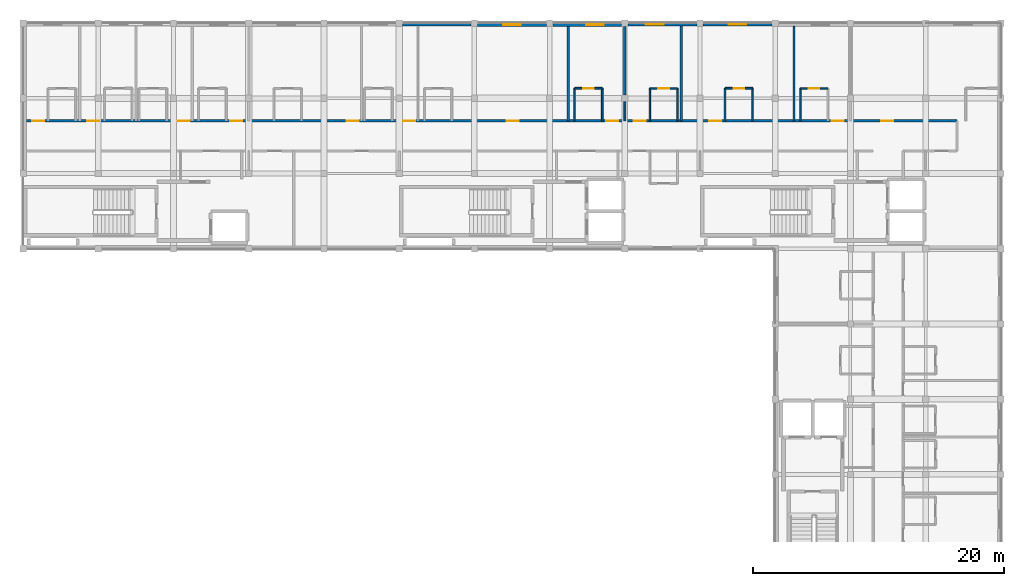
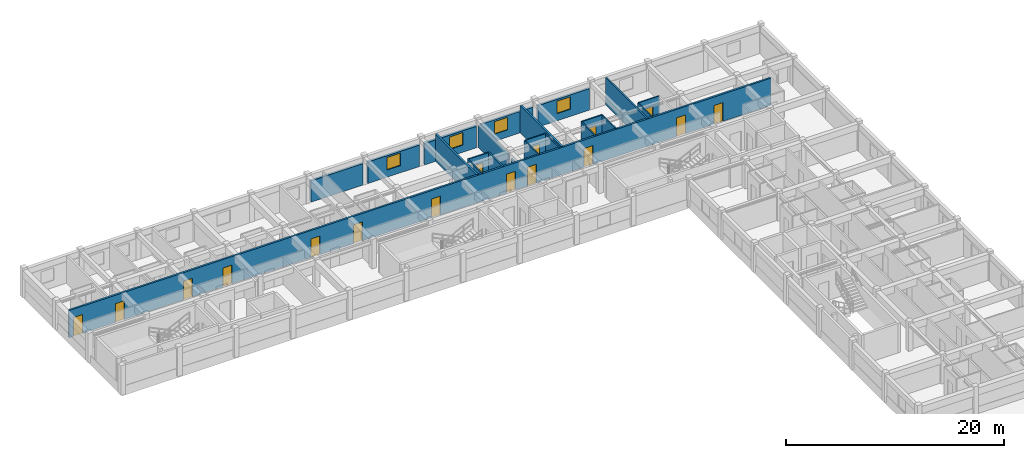
# One storey, part 8 of 14: 22 walls, 16 doors, 4 windows, 20 openings.
"""IFC4 building model written with IfcOpenShell, lengths in metres."""

from ifc_helpers import new_model, si_unit, direction, frame, frame_2d, origin, place, context, subcontext, project, spatial, rectangle, extrude, material, layer, layer_set, type_object, element, fill, save


model = new_model("IFC4")

# Units and contexts
model_context = context("Model", 3, precision=1e-05, world=origin(), true_north=direction((0.0, 1.0)))
body_context = subcontext(model_context, "Body", "Model", "MODEL_VIEW")
ifc_project = project(units=[si_unit("LENGTHUNIT", "METRE"), si_unit("AREAUNIT", "SQUARE_METRE"), si_unit("VOLUMEUNIT", "CUBIC_METRE"), si_unit("PLANEANGLEUNIT", "RADIAN"), si_unit("MASSUNIT", "GRAM", prefix="KILO"), si_unit("THERMODYNAMICTEMPERATUREUNIT", "KELVIN"), si_unit("POWERUNIT", "WATT")], contexts=[model_context])

# Site, building, storey
site_placement = place(None, origin())
site = spatial("IfcSite", under=ifc_project, at=site_placement, CompositionType="ELEMENT")
building_placement = place(site_placement, origin())
building = spatial("IfcBuilding", under=site, at=building_placement, Name="Phaisarnlok Congress Hotel", CompositionType="ELEMENT")
storey_placement = place(building_placement, frame((0.0, 0.0, 44.699951171875)))
storey = spatial("IfcBuildingStorey", under=building, at=storey_placement, Name="L11", CompositionType="ELEMENT", Elevation=44.699951171875)

# Wall, opening, window
ifc_material_1 = material(Name="Concrete C40/50", Category="concrete")
ifc_layer_1 = layer(ifc_material_1, 0.2099609375, Name="Concrete C40/50")
ifc_layer_set_1 = layer_set([ifc_layer_1], Name="Concrete C40/50")
wall_type_1 = type_object("IfcWallType", Name="WL-EXT-210", PredefinedType="SOLIDWALL", material=ifc_layer_set_1)
wall_1_placement = place(storey_placement, frame((155.7451171875, 125.89501953125, 0.0), z_axis=(0.0, 0.0, 1.0), x_axis=(-1.0, 0.0, 0.0)))
wall_1 = element("IfcWall", 1, at=wall_1_placement, inside=storey, type_object=wall_type_1, Name="Exterior wall EW-07 (L11)", PredefinedType="SOLIDWALL", context=body_context, shape_type="SweptSolid", body=[
    extrude(rectangle(XDim=5.490234375, YDim=0.2099609375, at=frame_2d((2.7451171875, 0.0))), origin(), (0.0, 0.0, 1.0), 2.400146484375),
])
opening_1_placement = place(wall_1_placement, frame((2.657958984375, 0.0, 0.800048828125)))
opening_1 = element("IfcOpeningElement", 2, at=opening_1_placement, cuts=wall_1, Name="Opening W-13", PredefinedType="OPENING", context=body_context, shape_type="SweptSolid", body=[
    extrude(rectangle(XDim=1.39990234375, YDim=1.39990234375, at=frame_2d((0.699951171875, 0.699951171875))), frame((0.0, 0.114990234375, 0.0), z_axis=(0.0, -1.0, 0.0), x_axis=(1.0, 0.0, 0.0)), (0.0, 0.0, 1.0), 0.22998046875),
])
ifc_material_2 = material(Name="Thermally Broken Aluminium & Low-E Double Glazing", Category="aluminium")
window_type = type_object("IfcWindowType", Name="WIN-POD-1400", PartitioningType="SINGLE_PANEL", PredefinedType="WINDOW", material=ifc_material_2)
window_1_placement = place(opening_1_placement, origin())
window_1 = element("IfcWindow", 3, at=window_1_placement, inside=storey, type_object=window_type, Name="Guestroom window W-13 (L11)", OverallHeight=1.39990234375, OverallWidth=1.39990234375, PartitioningType="SINGLE_PANEL", PredefinedType="WINDOW", context=body_context, shape_type="SweptSolid", body=[
    extrude(rectangle(XDim=1.39990234375, YDim=1.39990234375, at=frame_2d((0.699951171875, 0.699951171875))), frame((0.0, 0.030029296875, 0.0), z_axis=(0.0, -1.0, 0.0), x_axis=(1.0, 0.0, 0.0)), (0.0, 0.0, 1.0), 0.06005859375),
])
fill(opening_1, window_1)

ifc_layer_2 = layer(ifc_material_1, 0.22998046875, Name="Concrete C40/50")
ifc_layer_set_2 = layer_set([ifc_layer_2], Name="Concrete C40/50")
wall_type_2 = type_object("IfcWallType", Name="WL-EXT-230", PredefinedType="SOLIDWALL", material=ifc_layer_set_2)
wall_2_placement = place(storey_placement, frame((161.7451171875, 125.885009765625, 0.0), z_axis=(0.0, 0.0, 1.0), x_axis=(-1.0, 0.0, 0.0)))
wall_2 = element("IfcWall", 4, at=wall_2_placement, inside=storey, type_object=wall_type_2, Name="Exterior wall EW-06 (L11)", PredefinedType="SOLIDWALL", context=body_context, shape_type="SweptSolid", body=[
    extrude(rectangle(XDim=5.490234375, YDim=0.22998046875, at=frame_2d((2.7451171875, 0.0))), origin(), (0.0, 0.0, 1.0), 2.400146484375),
])
opening_2_placement = place(wall_2_placement, frame((2.044921875, 0.0, 0.800048828125)))
opening_2 = element("IfcOpeningElement", 5, at=opening_2_placement, cuts=wall_2, Name="Opening W-13", PredefinedType="OPENING", context=body_context, shape_type="SweptSolid", body=[
    extrude(rectangle(XDim=1.39990234375, YDim=1.39990234375, at=frame_2d((0.699951171875, 0.699951171875))), frame((0.0, 0.125, 0.0), z_axis=(0.0, -1.0, 0.0), x_axis=(1.0, 0.0, 0.0)), (0.0, 0.0, 1.0), 0.25),
])
window_2_placement = place(opening_2_placement, origin())
window_2 = element("IfcWindow", 6, at=window_2_placement, inside=storey, type_object=window_type, Name="Guestroom window W-13 (L11)", OverallHeight=1.39990234375, OverallWidth=1.39990234375, PartitioningType="SINGLE_PANEL", PredefinedType="WINDOW", context=body_context, shape_type="SweptSolid", body=[
    extrude(rectangle(XDim=1.39990234375, YDim=1.39990234375, at=frame_2d((0.699951171875, 0.699951171875))), frame((0.0, 0.030029296875, 0.0), z_axis=(0.0, -1.0, 0.0), x_axis=(1.0, 0.0, 0.0)), (0.0, 0.0, 1.0), 0.06005859375),
])
fill(opening_2, window_2)

# Wall
wall_3_placement = place(storey_placement, frame((137.7451171875, 125.885009765625, 0.0), z_axis=(0.0, 0.0, 1.0), x_axis=(-1.0, 0.0, 0.0)))
element("IfcWall", 7, at=wall_3_placement, inside=storey, type_object=wall_type_2, Name="Exterior wall EW-06 (L11)", PredefinedType="SOLIDWALL", context=body_context, shape_type="SweptSolid", body=[
    extrude(rectangle(XDim=5.490234375, YDim=0.22998046875, at=frame_2d((2.7451171875, 0.0))), origin(), (0.0, 0.0, 1.0), 2.400146484375),
])

# Wall, opening, window
ifc_layer_3 = layer(ifc_material_1, 0.25, Name="Concrete C40/50")
ifc_layer_set_3 = layer_set([ifc_layer_3], Name="Concrete C40/50")
wall_type_3 = type_object("IfcWallType", Name="WL-EXT-250", PredefinedType="SOLIDWALL", material=ifc_layer_set_3)
wall_4_placement = place(storey_placement, frame((143.7451171875, 125.875, 0.0), z_axis=(0.0, 0.0, 1.0), x_axis=(-1.0, 0.0, 0.0)))
wall_4 = element("IfcWall", 8, at=wall_4_placement, inside=storey, type_object=wall_type_3, Name="Exterior wall EW-05 (L11)", PredefinedType="SOLIDWALL", context=body_context, shape_type="SweptSolid", body=[
    extrude(rectangle(XDim=5.490234375, YDim=0.25, at=frame_2d((2.7451171875, 0.0))), origin(), (0.0, 0.0, 1.0), 2.400146484375),
])
opening_3_placement = place(wall_4_placement, frame((2.044921875, 0.0, 0.800048828125)))
opening_3 = element("IfcOpeningElement", 9, at=opening_3_placement, cuts=wall_4, Name="Opening W-13", PredefinedType="OPENING", context=body_context, shape_type="SweptSolid", body=[
    extrude(rectangle(XDim=1.39990234375, YDim=1.39990234375, at=frame_2d((0.699951171875, 0.699951171875))), frame((0.0, 0.135009765625, 0.0), z_axis=(0.0, -1.0, 0.0), x_axis=(1.0, 0.0, 0.0)), (0.0, 0.0, 1.0), 0.27001953125),
])
window_3_placement = place(opening_3_placement, origin())
window_3 = element("IfcWindow", 10, at=window_3_placement, inside=storey, type_object=window_type, Name="Guestroom window W-13 (L11)", OverallHeight=1.39990234375, OverallWidth=1.39990234375, PartitioningType="SINGLE_PANEL", PredefinedType="WINDOW", context=body_context, shape_type="SweptSolid", body=[
    extrude(rectangle(XDim=1.39990234375, YDim=1.39990234375, at=frame_2d((0.699951171875, 0.699951171875))), frame((0.0, 0.030029296875, 0.0), z_axis=(0.0, -1.0, 0.0), x_axis=(1.0, 0.0, 0.0)), (0.0, 0.0, 1.0), 0.06005859375),
])
fill(opening_3, window_3)

ifc_layer_4 = layer(ifc_material_1, 0.27001953125, Name="Concrete C40/50")
ifc_layer_set_4 = layer_set([ifc_layer_4], Name="Concrete C40/50")
wall_type_4 = type_object("IfcWallType", Name="WL-EXT-270", PredefinedType="SOLIDWALL", material=ifc_layer_set_4)
wall_5_placement = place(storey_placement, frame((149.7451171875, 125.864990234375, 0.0), z_axis=(0.0, 0.0, 1.0), x_axis=(-1.0, 0.0, 0.0)))
wall_5 = element("IfcWall", 11, at=wall_5_placement, inside=storey, type_object=wall_type_4, Name="Exterior wall EW-04 (L11)", PredefinedType="SOLIDWALL", context=body_context, shape_type="SweptSolid", body=[
    extrude(rectangle(XDim=5.490234375, YDim=0.27001953125, at=frame_2d((2.7451171875, 0.0))), origin(), (0.0, 0.0, 1.0), 2.400146484375),
])
opening_4_placement = place(wall_5_placement, frame((1.431884765625, 0.0, 0.800048828125)))
opening_4 = element("IfcOpeningElement", 12, at=opening_4_placement, cuts=wall_5, Name="Opening W-13", PredefinedType="OPENING", context=body_context, shape_type="SweptSolid", body=[
    extrude(rectangle(XDim=1.39990234375, YDim=1.39990234375, at=frame_2d((0.699951171875, 0.699951171875))), frame((0.0, 0.14501953125, 0.0), z_axis=(0.0, -1.0, 0.0), x_axis=(1.0, 0.0, 0.0)), (0.0, 0.0, 1.0), 0.2900390625),
])
window_4_placement = place(opening_4_placement, origin())
window_4 = element("IfcWindow", 13, at=window_4_placement, inside=storey, type_object=window_type, Name="Guestroom window W-13 (L11)", OverallHeight=1.39990234375, OverallWidth=1.39990234375, PartitioningType="SINGLE_PANEL", PredefinedType="WINDOW", context=body_context, shape_type="SweptSolid", body=[
    extrude(rectangle(XDim=1.39990234375, YDim=1.39990234375, at=frame_2d((0.699951171875, 0.699951171875))), frame((0.0, 0.030029296875, 0.0), z_axis=(0.0, -1.0, 0.0), x_axis=(1.0, 0.0, 0.0)), (0.0, 0.0, 1.0), 0.06005859375),
])
fill(opening_4, window_4)

# Walls
ifc_material_3 = material(Name="Lightweight Metal-Stud Gypsum Partition", Category="gypsum")
ifc_layer_5 = layer(ifc_material_3, 0.1201171875, Name="Lightweight Metal-Stud Gypsum Partition")
ifc_layer_set_5 = layer_set([ifc_layer_5], Name="Lightweight Metal-Stud Gypsum Partition")
wall_type_5 = type_object("IfcWallType", Name="WL-INT-120", PredefinedType="PARTITIONING", material=ifc_layer_set_5)
for number, where, z_axis, x_axis, name in (
    (14, (146.0, 118.199951171875, 0.0), (0.0, 0.0, 1.0), (0.0, 1.0, 0.0), "Interior partition wall IW-07 (L11)"),
    (15, (152.0, 118.199951171875, 0.0), (0.0, 0.0, 1.0), (0.0, 1.0, 0.0), "Interior partition wall IW-07 (L11)"),
    (16, (154.199951171875, 118.199951171875, 0.0), (0.0, 0.0, 1.0), (0.0, 1.0, 0.0), "Interior partition wall IW-07 (L11)"),
    (17, (160.199951171875, 118.199951171875, 0.0), (0.0, 0.0, 1.0), (0.0, 1.0, 0.0), "Interior partition wall IW-07 (L11)"),
    (18, (164.0, 118.199951171875, 0.0), (0.0, 0.0, 1.0), (0.0, 1.0, 0.0), "Interior partition wall IW-07 (L11)"),
):
    element("IfcWall", number, at=place(storey_placement, frame(where, z_axis=z_axis, x_axis=x_axis)), inside=storey, type_object=wall_type_5, Name=name, PredefinedType="PARTITIONING", context=body_context, shape_type="SweptSolid", body=[
        extrude(rectangle(XDim=2.60009765625, YDim=0.1201171875, at=frame_2d((1.300048828125, 0.0))), origin(), (0.0, 0.0, 1.0), 3.050048828125),
    ])

# Wall, opening, door
wall_6_placement = place(storey_placement, frame((152.0, 120.800048828125, 0.0), z_axis=(0.0, 0.0, 1.0), x_axis=(1.0, 0.0, 0.0)))
wall_6 = element("IfcWall", 19, at=wall_6_placement, inside=storey, type_object=wall_type_5, Name="Interior partition wall IW-07 (L11)", PredefinedType="PARTITIONING", context=body_context, shape_type="SweptSolid", body=[
    extrude(rectangle(XDim=2.199951171875, YDim=0.1201171875, at=frame_2d((1.10009765625, 0.0))), origin(), (0.0, 0.0, 1.0), 3.050048828125),
])
opening_5_placement = place(wall_6_placement, frame((0.675048828125, 0.0, 0.0)))
opening_5 = element("IfcOpeningElement", 20, at=opening_5_placement, cuts=wall_6, Name="Opening D-0644", PredefinedType="OPENING", context=body_context, shape_type="SweptSolid", body=[
    extrude(rectangle(XDim=0.85009765625, YDim=2.10009765625, at=frame_2d((0.425048828125, 1.050048828125))), frame((0.0, 0.070068359375, 0.0), z_axis=(0.0, -1.0, 0.0), x_axis=(1.0, 0.0, 0.0)), (0.0, 0.0, 1.0), 0.14013671875),
])
ifc_material_4 = material(Name="Moisture-Resistant Lacquered Timber", Category="wood")
door_type_1 = type_object("IfcDoorType", Name="DR-BATH-850", OperationType="NOTDEFINED", PredefinedType="DOOR", material=ifc_material_4)
door_1_placement = place(opening_5_placement, origin())
door_1 = element("IfcDoor", 21, at=door_1_placement, inside=storey, type_object=door_type_1, Name="Interior door D-0644 (L11)", OperationType="SINGLE_SWING_RIGHT", OverallHeight=2.10009765625, OverallWidth=0.85009765625, PredefinedType="DOOR", context=body_context, shape_type="SweptSolid", body=[
    extrude(rectangle(XDim=0.85009765625, YDim=2.10009765625, at=frame_2d((0.425048828125, 1.050048828125))), frame((0.0, 0.02490234375, 0.0), z_axis=(0.0, -1.0, 0.0), x_axis=(1.0, 0.0, 0.0)), (0.0, 0.0, 1.0), 0.050048828125),
])
fill(opening_5, door_1)

wall_7_placement = place(storey_placement, frame((164.0, 120.800048828125, 0.0), z_axis=(0.0, 0.0, 1.0), x_axis=(1.0, 0.0, 0.0)))
wall_7 = element("IfcWall", 22, at=wall_7_placement, inside=storey, type_object=wall_type_5, Name="Interior partition wall IW-07 (L11)", PredefinedType="PARTITIONING", context=body_context, shape_type="SweptSolid", body=[
    extrude(rectangle(XDim=2.199951171875, YDim=0.1201171875, at=frame_2d((1.10009765625, 0.0))), origin(), (0.0, 0.0, 1.0), 3.050048828125),
])
opening_6_placement = place(wall_7_placement, frame((0.675048828125, 0.0, 0.0)))
opening_6 = element("IfcOpeningElement", 23, at=opening_6_placement, cuts=wall_7, Name="Opening D-0648", PredefinedType="OPENING", context=body_context, shape_type="SweptSolid", body=[
    extrude(rectangle(XDim=0.85009765625, YDim=2.10009765625, at=frame_2d((0.425048828125, 1.050048828125))), frame((0.0, 0.070068359375, 0.0), z_axis=(0.0, -1.0, 0.0), x_axis=(1.0, 0.0, 0.0)), (0.0, 0.0, 1.0), 0.14013671875),
])
door_2_placement = place(opening_6_placement, origin())
door_2 = element("IfcDoor", 24, at=door_2_placement, inside=storey, type_object=door_type_1, Name="Interior door D-0648 (L11)", OperationType="SINGLE_SWING_RIGHT", OverallHeight=2.10009765625, OverallWidth=0.85009765625, PredefinedType="DOOR", context=body_context, shape_type="SweptSolid", body=[
    extrude(rectangle(XDim=0.85009765625, YDim=2.10009765625, at=frame_2d((0.425048828125, 1.050048828125))), frame((0.0, 0.02490234375, 0.0), z_axis=(0.0, -1.0, 0.0), x_axis=(1.0, 0.0, 0.0)), (0.0, 0.0, 1.0), 0.050048828125),
])
fill(opening_6, door_2)

# Walls
ifc_material_5 = material(Name="Moisture-Resistant Gypsum Partition", Category="gypsum")
ifc_layer_6 = layer(ifc_material_5, 0.135009765625, Name="Moisture-Resistant Gypsum Partition")
ifc_layer_set_6 = layer_set([ifc_layer_6], Name="Moisture-Resistant Gypsum Partition")
wall_type_6 = type_object("IfcWallType", Name="WL-INT-135", PredefinedType="PARTITIONING", material=ifc_layer_set_6)
for number, where, z_axis, x_axis, name in (
    (25, (148.199951171875, 118.199951171875, 0.0), (0.0, 0.0, 1.0), (0.0, 1.0, 0.0), "Interior partition wall IW-06 (L11)"),
    (26, (158.0, 118.199951171875, 0.0), (0.0, 0.0, 1.0), (0.0, 1.0, 0.0), "Interior partition wall IW-06 (L11)"),
):
    element("IfcWall", number, at=place(storey_placement, frame(where, z_axis=z_axis, x_axis=x_axis)), inside=storey, type_object=wall_type_6, Name=name, PredefinedType="PARTITIONING", context=body_context, shape_type="SweptSolid", body=[
        extrude(rectangle(XDim=2.60009765625, YDim=0.135009765625, at=frame_2d((1.300048828125, 0.0))), origin(), (0.0, 0.0, 1.0), 3.050048828125),
    ])

# Wall, opening, door
wall_8_placement = place(storey_placement, frame((146.0, 120.800048828125, 0.0), z_axis=(0.0, 0.0, 1.0), x_axis=(1.0, 0.0, 0.0)))
wall_8 = element("IfcWall", 27, at=wall_8_placement, inside=storey, type_object=wall_type_6, Name="Interior partition wall IW-06 (L11)", PredefinedType="PARTITIONING", context=body_context, shape_type="SweptSolid", body=[
    extrude(rectangle(XDim=2.199951171875, YDim=0.135009765625, at=frame_2d((1.10009765625, 0.0))), origin(), (0.0, 0.0, 1.0), 3.050048828125),
])
opening_7_placement = place(wall_8_placement, frame((0.675048828125, 0.0, 0.0)))
opening_7 = element("IfcOpeningElement", 28, at=opening_7_placement, cuts=wall_8, Name="Opening D-0642", PredefinedType="OPENING", context=body_context, shape_type="SweptSolid", body=[
    extrude(rectangle(XDim=0.85009765625, YDim=2.10009765625, at=frame_2d((0.425048828125, 1.050048828125))), frame((0.0, 0.07763671875, 0.0), z_axis=(0.0, -1.0, 0.0), x_axis=(1.0, 0.0, 0.0)), (0.0, 0.0, 1.0), 0.155029296875),
])
door_3_placement = place(opening_7_placement, origin())
door_3 = element("IfcDoor", 29, at=door_3_placement, inside=storey, type_object=door_type_1, Name="Interior door D-0642 (L11)", OperationType="SINGLE_SWING_RIGHT", OverallHeight=2.10009765625, OverallWidth=0.85009765625, PredefinedType="DOOR", context=body_context, shape_type="SweptSolid", body=[
    extrude(rectangle(XDim=0.85009765625, YDim=2.10009765625, at=frame_2d((0.425048828125, 1.050048828125))), frame((0.0, 0.02490234375, 0.0), z_axis=(0.0, -1.0, 0.0), x_axis=(1.0, 0.0, 0.0)), (0.0, 0.0, 1.0), 0.050048828125),
])
fill(opening_7, door_3)

wall_9_placement = place(storey_placement, frame((158.0, 120.800048828125, 0.0), z_axis=(0.0, 0.0, 1.0), x_axis=(1.0, 0.0, 0.0)))
wall_9 = element("IfcWall", 30, at=wall_9_placement, inside=storey, type_object=wall_type_6, Name="Interior partition wall IW-06 (L11)", PredefinedType="PARTITIONING", context=body_context, shape_type="SweptSolid", body=[
    extrude(rectangle(XDim=2.199951171875, YDim=0.135009765625, at=frame_2d((1.10009765625, 0.0))), origin(), (0.0, 0.0, 1.0), 3.050048828125),
])
opening_8_placement = place(wall_9_placement, frame((0.675048828125, 0.0, 0.0)))
opening_8 = element("IfcOpeningElement", 31, at=opening_8_placement, cuts=wall_9, Name="Opening D-0646", PredefinedType="OPENING", context=body_context, shape_type="SweptSolid", body=[
    extrude(rectangle(XDim=0.85009765625, YDim=2.10009765625, at=frame_2d((0.425048828125, 1.050048828125))), frame((0.0, 0.07763671875, 0.0), z_axis=(0.0, -1.0, 0.0), x_axis=(1.0, 0.0, 0.0)), (0.0, 0.0, 1.0), 0.155029296875),
])
door_4_placement = place(opening_8_placement, origin())
door_4 = element("IfcDoor", 32, at=door_4_placement, inside=storey, type_object=door_type_1, Name="Interior door D-0646 (L11)", OperationType="SINGLE_SWING_RIGHT", OverallHeight=2.10009765625, OverallWidth=0.85009765625, PredefinedType="DOOR", context=body_context, shape_type="SweptSolid", body=[
    extrude(rectangle(XDim=0.85009765625, YDim=2.10009765625, at=frame_2d((0.425048828125, 1.050048828125))), frame((0.0, 0.02490234375, 0.0), z_axis=(0.0, -1.0, 0.0), x_axis=(1.0, 0.0, 0.0)), (0.0, 0.0, 1.0), 0.050048828125),
])
fill(opening_8, door_4)

# Walls
ifc_material_6 = material(Name="Acoustic Gypsum Board & Mineral Wool", Category="gypsum")
ifc_layer_7 = layer(ifc_material_6, 0.14990234375, Name="Acoustic Gypsum Board & Mineral Wool")
ifc_layer_set_7 = layer_set([ifc_layer_7], Name="Acoustic Gypsum Board & Mineral Wool")
wall_type_7 = type_object("IfcWallType", Name="WL-INT-150", PredefinedType="PARTITIONING", material=ifc_layer_set_7)
wall_10_placement = place(storey_placement, frame((150.0, 118.199951171875, 0.0), z_axis=(0.0, 0.0, 1.0), x_axis=(0.0, 1.0, 0.0)))
element("IfcWall", 33, at=wall_10_placement, inside=storey, type_object=wall_type_7, Name="Interior partition wall IW-05 (L11)", PredefinedType="PARTITIONING", context=body_context, shape_type="SweptSolid", body=[
    extrude(rectangle(XDim=1.545166015625, YDim=0.14990234375, at=frame_2d((0.7724609375, 0.0))), origin(), (0.0, 0.0, 1.0), 2.35009765625),
])
wall_11_placement = place(storey_placement, frame((163.5, 118.199951171875, 0.0), z_axis=(0.0, 0.0, 1.0), x_axis=(0.0, 1.0, 0.0)))
element("IfcWall", 34, at=wall_11_placement, inside=storey, type_object=wall_type_7, Name="Interior partition wall IW-05 (L11)", PredefinedType="PARTITIONING", context=body_context, shape_type="SweptSolid", body=[
    extrude(rectangle(XDim=7.545166015625, YDim=0.14990234375, at=frame_2d((3.7724609375, 0.0))), origin(), (0.0, 0.0, 1.0), 3.050048828125),
])
ifc_material_7 = material(Name="Autoclaved Aerated Concrete Block", Category="concrete")
ifc_layer_8 = layer(ifc_material_7, 0.199951171875, Name="Autoclaved Aerated Concrete Block")
ifc_layer_set_8 = layer_set([ifc_layer_8], Name="Autoclaved Aerated Concrete Block")
wall_type_8 = type_object("IfcWallType", Name="WL-INT-200", PredefinedType="PARTITIONING", material=ifc_layer_set_8)
wall_12_placement = place(storey_placement, frame((145.5, 118.199951171875, 0.0), z_axis=(0.0, 0.0, 1.0), x_axis=(0.0, 1.0, 0.0)))
element("IfcWall", 35, at=wall_12_placement, inside=storey, type_object=wall_type_8, Name="Interior partition wall IW-02 (L11)", PredefinedType="PARTITIONING", context=body_context, shape_type="SweptSolid", body=[
    extrude(rectangle(XDim=7.525146484375, YDim=0.199951171875, at=frame_2d((3.7626953125, 0.0))), origin(), (0.0, 0.0, 1.0), 3.050048828125),
])
wall_13_placement = place(storey_placement, frame((150.0, 120.2548828125, 0.0), z_axis=(0.0, 0.0, 1.0), x_axis=(0.0, 1.0, 0.0)))
element("IfcWall", 36, at=wall_13_placement, inside=storey, type_object=wall_type_8, Name="Interior partition wall IW-02 (L11)", PredefinedType="PARTITIONING", context=body_context, shape_type="SweptSolid", body=[
    extrude(rectangle(XDim=5.465087890625, YDim=0.199951171875, at=frame_2d((2.732421875, 0.0))), origin(), (0.0, 0.0, 1.0), 2.5),
])
wall_14_placement = place(storey_placement, frame((154.5, 118.199951171875, 0.0), z_axis=(0.0, 0.0, 1.0), x_axis=(0.0, 1.0, 0.0)))
element("IfcWall", 37, at=wall_14_placement, inside=storey, type_object=wall_type_8, Name="Interior partition wall IW-02 (L11)", PredefinedType="PARTITIONING", context=body_context, shape_type="SweptSolid", body=[
    extrude(rectangle(XDim=7.5849609375, YDim=0.199951171875, at=frame_2d((3.79248046875, 0.0))), origin(), (0.0, 0.0, 1.0), 3.050048828125),
])

# Wall, openings, doors
wall_15_placement = place(storey_placement, frame((102.2548828125, 118.199951171875, 0.0), z_axis=(0.0, 0.0, 1.0), x_axis=(1.0, 0.0, 0.0)))
wall_15 = element("IfcWall", 38, at=wall_15_placement, inside=storey, type_object=wall_type_8, Name="Interior partition wall IW-02 (L11)", PredefinedType="PARTITIONING", context=body_context, shape_type="SweptSolid", body=[
    extrude(rectangle(XDim=74.2451171875, YDim=0.199951171875, at=frame_2d((37.12255859375, 0.0))), origin(), (0.0, 0.0, 1.0), 3.050048828125),
])
opening_9_placement = place(wall_15_placement, frame((0.469970703125, 0.0, 0.0)))
opening_9 = element("IfcOpeningElement", 39, at=opening_9_placement, cuts=wall_15, Name="Opening D-0629", PredefinedType="OPENING", context=body_context, shape_type="SweptSolid", body=[
    extrude(rectangle(XDim=0.949951171875, YDim=2.10009765625, at=frame_2d((0.47509765625, 1.050048828125))), frame((0.0, 0.10986328125, 0.0), z_axis=(0.0, -1.0, 0.0), x_axis=(1.0, 0.0, 0.0)), (0.0, 0.0, 1.0), 0.219970703125),
])
opening_10_placement = place(wall_15_placement, frame((4.8701171875, 0.0, 0.0)))
opening_10 = element("IfcOpeningElement", 40, at=opening_10_placement, cuts=wall_15, Name="Opening D-0631", PredefinedType="OPENING", context=body_context, shape_type="SweptSolid", body=[
    extrude(rectangle(XDim=0.949951171875, YDim=2.10009765625, at=frame_2d((0.47509765625, 1.050048828125))), frame((0.0, 0.10986328125, 0.0), z_axis=(0.0, -1.0, 0.0), x_axis=(1.0, 0.0, 0.0)), (0.0, 0.0, 1.0), 0.219970703125),
])
opening_11_placement = place(wall_15_placement, frame((12.070068359375, 0.0, 0.0)))
opening_11 = element("IfcOpeningElement", 41, at=opening_11_placement, cuts=wall_15, Name="Opening D-0633", PredefinedType="OPENING", context=body_context, shape_type="SweptSolid", body=[
    extrude(rectangle(XDim=0.949951171875, YDim=2.10009765625, at=frame_2d((0.47509765625, 1.050048828125))), frame((0.0, 0.10986328125, 0.0), z_axis=(0.0, -1.0, 0.0), x_axis=(1.0, 0.0, 0.0)), (0.0, 0.0, 1.0), 0.219970703125),
])
opening_12_placement = place(wall_15_placement, frame((16.27001953125, 0.0, 0.0)))
opening_12 = element("IfcOpeningElement", 42, at=opening_12_placement, cuts=wall_15, Name="Opening D-0635", PredefinedType="OPENING", context=body_context, shape_type="SweptSolid", body=[
    extrude(rectangle(XDim=0.949951171875, YDim=2.10009765625, at=frame_2d((0.47509765625, 1.050048828125))), frame((0.0, 0.10986328125, 0.0), z_axis=(0.0, -1.0, 0.0), x_axis=(1.0, 0.0, 0.0)), (0.0, 0.0, 1.0), 0.219970703125),
])
opening_13_placement = place(wall_15_placement, frame((25.570068359375, 0.0, 0.0)))
opening_13 = element("IfcOpeningElement", 43, at=opening_13_placement, cuts=wall_15, Name="Opening D-0637", PredefinedType="OPENING", context=body_context, shape_type="SweptSolid", body=[
    extrude(rectangle(XDim=0.949951171875, YDim=2.10009765625, at=frame_2d((0.47509765625, 1.050048828125))), frame((0.0, 0.10986328125, 0.0), z_axis=(0.0, -1.0, 0.0), x_axis=(1.0, 0.0, 0.0)), (0.0, 0.0, 1.0), 0.219970703125),
])
opening_14_placement = place(wall_15_placement, frame((30.070068359375, 0.0, 0.0)))
opening_14 = element("IfcOpeningElement", 44, at=opening_14_placement, cuts=wall_15, Name="Opening D-0639", PredefinedType="OPENING", context=body_context, shape_type="SweptSolid", body=[
    extrude(rectangle(XDim=0.949951171875, YDim=2.10009765625, at=frame_2d((0.47509765625, 1.050048828125))), frame((0.0, 0.10986328125, 0.0), z_axis=(0.0, -1.0, 0.0), x_axis=(1.0, 0.0, 0.0)), (0.0, 0.0, 1.0), 0.219970703125),
])
opening_15_placement = place(wall_15_placement, frame((38.320068359375, 0.0, 0.0)))
opening_15 = element("IfcOpeningElement", 45, at=opening_15_placement, cuts=wall_15, Name="Opening D-0641", PredefinedType="OPENING", context=body_context, shape_type="SweptSolid", body=[
    extrude(rectangle(XDim=0.949951171875, YDim=2.10009765625, at=frame_2d((0.47509765625, 1.050048828125))), frame((0.0, 0.10986328125, 0.0), z_axis=(0.0, -1.0, 0.0), x_axis=(1.0, 0.0, 0.0)), (0.0, 0.0, 1.0), 0.219970703125),
])
opening_16_placement = place(wall_15_placement, frame((46.27001953125, 0.0, 0.0)))
opening_16 = element("IfcOpeningElement", 46, at=opening_16_placement, cuts=wall_15, Name="Opening D-0643", PredefinedType="OPENING", context=body_context, shape_type="SweptSolid", body=[
    extrude(rectangle(XDim=0.949951171875, YDim=2.10009765625, at=frame_2d((0.47509765625, 1.050048828125))), frame((0.0, 0.10986328125, 0.0), z_axis=(0.0, -1.0, 0.0), x_axis=(1.0, 0.0, 0.0)), (0.0, 0.0, 1.0), 0.219970703125),
])
opening_17_placement = place(wall_15_placement, frame((48.469970703125, 0.0, 0.0)))
opening_17 = element("IfcOpeningElement", 47, at=opening_17_placement, cuts=wall_15, Name="Opening D-0645", PredefinedType="OPENING", context=body_context, shape_type="SweptSolid", body=[
    extrude(rectangle(XDim=0.949951171875, YDim=2.10009765625, at=frame_2d((0.47509765625, 1.050048828125))), frame((0.0, 0.10986328125, 0.0), z_axis=(0.0, -1.0, 0.0), x_axis=(1.0, 0.0, 0.0)), (0.0, 0.0, 1.0), 0.219970703125),
])
opening_18_placement = place(wall_15_placement, frame((54.469970703125, 0.0, 0.0)))
opening_18 = element("IfcOpeningElement", 48, at=opening_18_placement, cuts=wall_15, Name="Opening D-0647", PredefinedType="OPENING", context=body_context, shape_type="SweptSolid", body=[
    extrude(rectangle(XDim=0.949951171875, YDim=2.10009765625, at=frame_2d((0.47509765625, 1.050048828125))), frame((0.0, 0.10986328125, 0.0), z_axis=(0.0, -1.0, 0.0), x_axis=(1.0, 0.0, 0.0)), (0.0, 0.0, 1.0), 0.219970703125),
])
opening_19_placement = place(wall_15_placement, frame((64.27001953125, 0.0, 0.0)))
opening_19 = element("IfcOpeningElement", 49, at=opening_19_placement, cuts=wall_15, Name="Opening D-0649", PredefinedType="OPENING", context=body_context, shape_type="SweptSolid", body=[
    extrude(rectangle(XDim=0.949951171875, YDim=2.10009765625, at=frame_2d((0.47509765625, 1.050048828125))), frame((0.0, 0.10986328125, 0.0), z_axis=(0.0, -1.0, 0.0), x_axis=(1.0, 0.0, 0.0)), (0.0, 0.0, 1.0), 0.219970703125),
])
opening_20_placement = place(wall_15_placement, frame((68.219970703125, 0.0, 0.0)))
opening_20 = element("IfcOpeningElement", 50, at=opening_20_placement, cuts=wall_15, Name="Opening D-0651", PredefinedType="OPENING", context=body_context, shape_type="SweptSolid", body=[
    extrude(rectangle(XDim=0.949951171875, YDim=2.10009765625, at=frame_2d((0.47509765625, 1.050048828125))), frame((0.0, 0.10986328125, 0.0), z_axis=(0.0, -1.0, 0.0), x_axis=(1.0, 0.0, 0.0)), (0.0, 0.0, 1.0), 0.219970703125),
])
ifc_material_8 = material(Name="Acoustic Solid-Core Teak Veneer", Category="wood")
door_type_2 = type_object("IfcDoorType", Name="DR-FD30-950", OperationType="NOTDEFINED", PredefinedType="DOOR", material=ifc_material_8)
door_5_placement = place(opening_9_placement, origin())
door_5 = element("IfcDoor", 51, at=door_5_placement, inside=storey, type_object=door_type_2, Name="Interior door D-0629 (L11)", OperationType="SINGLE_SWING_LEFT", OverallHeight=2.10009765625, OverallWidth=0.949951171875, PredefinedType="DOOR", context=body_context, shape_type="SweptSolid", body=[
    extrude(rectangle(XDim=0.949951171875, YDim=2.10009765625, at=frame_2d((0.47509765625, 1.050048828125))), frame((0.0, 0.02490234375, 0.0), z_axis=(0.0, -1.0, 0.0), x_axis=(1.0, 0.0, 0.0)), (0.0, 0.0, 1.0), 0.050048828125),
])
fill(opening_9, door_5)
door_6_placement = place(opening_10_placement, origin())
door_6 = element("IfcDoor", 52, at=door_6_placement, inside=storey, type_object=door_type_2, Name="Interior door D-0631 (L11)", OperationType="SINGLE_SWING_LEFT", OverallHeight=2.10009765625, OverallWidth=0.949951171875, PredefinedType="DOOR", context=body_context, shape_type="SweptSolid", body=[
    extrude(rectangle(XDim=0.949951171875, YDim=2.10009765625, at=frame_2d((0.47509765625, 1.050048828125))), frame((0.0, 0.02490234375, 0.0), z_axis=(0.0, -1.0, 0.0), x_axis=(1.0, 0.0, 0.0)), (0.0, 0.0, 1.0), 0.050048828125),
])
fill(opening_10, door_6)
door_7_placement = place(opening_11_placement, origin())
door_7 = element("IfcDoor", 53, at=door_7_placement, inside=storey, type_object=door_type_2, Name="Interior door D-0633 (L11)", OperationType="SINGLE_SWING_LEFT", OverallHeight=2.10009765625, OverallWidth=0.949951171875, PredefinedType="DOOR", context=body_context, shape_type="SweptSolid", body=[
    extrude(rectangle(XDim=0.949951171875, YDim=2.10009765625, at=frame_2d((0.47509765625, 1.050048828125))), frame((0.0, 0.02490234375, 0.0), z_axis=(0.0, -1.0, 0.0), x_axis=(1.0, 0.0, 0.0)), (0.0, 0.0, 1.0), 0.050048828125),
])
fill(opening_11, door_7)
door_8_placement = place(opening_12_placement, origin())
door_8 = element("IfcDoor", 54, at=door_8_placement, inside=storey, type_object=door_type_2, Name="Interior door D-0635 (L11)", OperationType="SINGLE_SWING_LEFT", OverallHeight=2.10009765625, OverallWidth=0.949951171875, PredefinedType="DOOR", context=body_context, shape_type="SweptSolid", body=[
    extrude(rectangle(XDim=0.949951171875, YDim=2.10009765625, at=frame_2d((0.47509765625, 1.050048828125))), frame((0.0, 0.02490234375, 0.0), z_axis=(0.0, -1.0, 0.0), x_axis=(1.0, 0.0, 0.0)), (0.0, 0.0, 1.0), 0.050048828125),
])
fill(opening_12, door_8)
door_9_placement = place(opening_13_placement, origin())
door_9 = element("IfcDoor", 55, at=door_9_placement, inside=storey, type_object=door_type_2, Name="Interior door D-0637 (L11)", OperationType="SINGLE_SWING_LEFT", OverallHeight=2.10009765625, OverallWidth=0.949951171875, PredefinedType="DOOR", context=body_context, shape_type="SweptSolid", body=[
    extrude(rectangle(XDim=0.949951171875, YDim=2.10009765625, at=frame_2d((0.47509765625, 1.050048828125))), frame((0.0, 0.02490234375, 0.0), z_axis=(0.0, -1.0, 0.0), x_axis=(1.0, 0.0, 0.0)), (0.0, 0.0, 1.0), 0.050048828125),
])
fill(opening_13, door_9)
door_10_placement = place(opening_14_placement, origin())
door_10 = element("IfcDoor", 56, at=door_10_placement, inside=storey, type_object=door_type_2, Name="Interior door D-0639 (L11)", OperationType="SINGLE_SWING_LEFT", OverallHeight=2.10009765625, OverallWidth=0.949951171875, PredefinedType="DOOR", context=body_context, shape_type="SweptSolid", body=[
    extrude(rectangle(XDim=0.949951171875, YDim=2.10009765625, at=frame_2d((0.47509765625, 1.050048828125))), frame((0.0, 0.02490234375, 0.0), z_axis=(0.0, -1.0, 0.0), x_axis=(1.0, 0.0, 0.0)), (0.0, 0.0, 1.0), 0.050048828125),
])
fill(opening_14, door_10)
door_11_placement = place(opening_15_placement, origin())
door_11 = element("IfcDoor", 57, at=door_11_placement, inside=storey, type_object=door_type_2, Name="Interior door D-0641 (L11)", OperationType="SINGLE_SWING_LEFT", OverallHeight=2.10009765625, OverallWidth=0.949951171875, PredefinedType="DOOR", context=body_context, shape_type="SweptSolid", body=[
    extrude(rectangle(XDim=0.949951171875, YDim=2.10009765625, at=frame_2d((0.47509765625, 1.050048828125))), frame((0.0, 0.02490234375, 0.0), z_axis=(0.0, -1.0, 0.0), x_axis=(1.0, 0.0, 0.0)), (0.0, 0.0, 1.0), 0.050048828125),
])
fill(opening_15, door_11)
door_12_placement = place(opening_16_placement, origin())
door_12 = element("IfcDoor", 58, at=door_12_placement, inside=storey, type_object=door_type_2, Name="Interior door D-0643 (L11)", OperationType="SINGLE_SWING_LEFT", OverallHeight=2.10009765625, OverallWidth=0.949951171875, PredefinedType="DOOR", context=body_context, shape_type="SweptSolid", body=[
    extrude(rectangle(XDim=0.949951171875, YDim=2.10009765625, at=frame_2d((0.47509765625, 1.050048828125))), frame((0.0, 0.02490234375, 0.0), z_axis=(0.0, -1.0, 0.0), x_axis=(1.0, 0.0, 0.0)), (0.0, 0.0, 1.0), 0.050048828125),
])
fill(opening_16, door_12)
door_13_placement = place(opening_17_placement, origin())
door_13 = element("IfcDoor", 59, at=door_13_placement, inside=storey, type_object=door_type_2, Name="Interior door D-0645 (L11)", OperationType="SINGLE_SWING_LEFT", OverallHeight=2.10009765625, OverallWidth=0.949951171875, PredefinedType="DOOR", context=body_context, shape_type="SweptSolid", body=[
    extrude(rectangle(XDim=0.949951171875, YDim=2.10009765625, at=frame_2d((0.47509765625, 1.050048828125))), frame((0.0, 0.02490234375, 0.0), z_axis=(0.0, -1.0, 0.0), x_axis=(1.0, 0.0, 0.0)), (0.0, 0.0, 1.0), 0.050048828125),
])
fill(opening_17, door_13)
door_14_placement = place(opening_18_placement, origin())
door_14 = element("IfcDoor", 60, at=door_14_placement, inside=storey, type_object=door_type_2, Name="Interior door D-0647 (L11)", OperationType="SINGLE_SWING_LEFT", OverallHeight=2.10009765625, OverallWidth=0.949951171875, PredefinedType="DOOR", context=body_context, shape_type="SweptSolid", body=[
    extrude(rectangle(XDim=0.949951171875, YDim=2.10009765625, at=frame_2d((0.47509765625, 1.050048828125))), frame((0.0, 0.02490234375, 0.0), z_axis=(0.0, -1.0, 0.0), x_axis=(1.0, 0.0, 0.0)), (0.0, 0.0, 1.0), 0.050048828125),
])
fill(opening_18, door_14)
door_15_placement = place(opening_19_placement, origin())
door_15 = element("IfcDoor", 61, at=door_15_placement, inside=storey, type_object=door_type_2, Name="Interior door D-0649 (L11)", OperationType="SINGLE_SWING_LEFT", OverallHeight=2.10009765625, OverallWidth=0.949951171875, PredefinedType="DOOR", context=body_context, shape_type="SweptSolid", body=[
    extrude(rectangle(XDim=0.949951171875, YDim=2.10009765625, at=frame_2d((0.47509765625, 1.050048828125))), frame((0.0, 0.02490234375, 0.0), z_axis=(0.0, -1.0, 0.0), x_axis=(1.0, 0.0, 0.0)), (0.0, 0.0, 1.0), 0.050048828125),
])
fill(opening_19, door_15)
door_16_placement = place(opening_20_placement, origin())
door_16 = element("IfcDoor", 62, at=door_16_placement, inside=storey, type_object=door_type_2, Name="Interior door D-0651 (L11)", OperationType="SINGLE_SWING_LEFT", OverallHeight=2.10009765625, OverallWidth=0.949951171875, PredefinedType="DOOR", context=body_context, shape_type="SweptSolid", body=[
    extrude(rectangle(XDim=0.949951171875, YDim=2.10009765625, at=frame_2d((0.47509765625, 1.050048828125))), frame((0.0, 0.02490234375, 0.0), z_axis=(0.0, -1.0, 0.0), x_axis=(1.0, 0.0, 0.0)), (0.0, 0.0, 1.0), 0.050048828125),
])
fill(opening_20, door_16)

save(model, "model.ifc")
